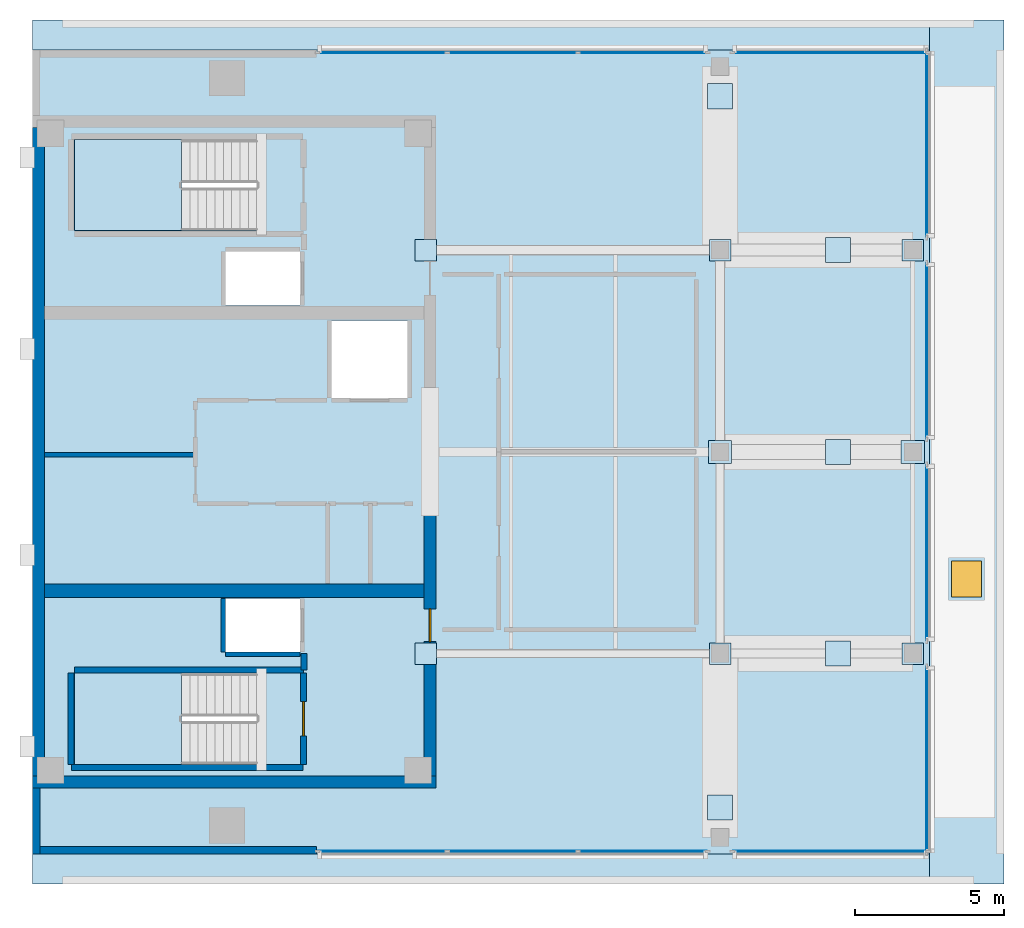
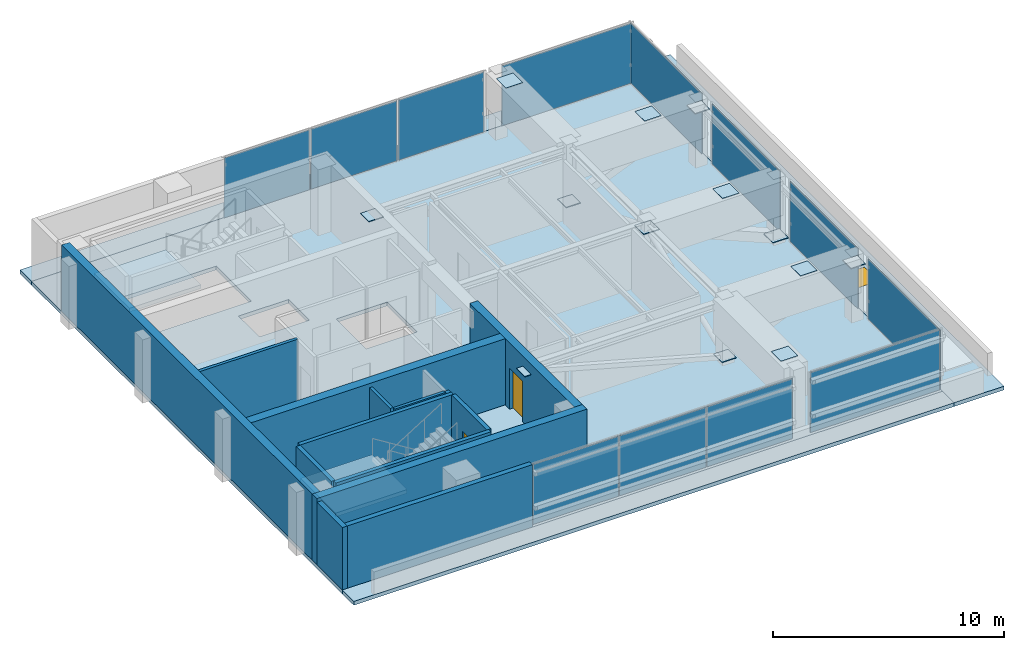
# One storey, part 4 of 9: 25 plates, 14 walls, 6 slabs, 2 doors, 1 window, 3 openings, 10 elements without a shape of their own.
"""IFC4 building model written with IfcOpenShell, lengths in metres."""

from ifc_helpers import new_model, si_unit, direction, frame, frame_2d, origin, origin_2d, place, context, subcontext, project, spatial, polyline, rectangle, outline, extrude, material, layer, layer_set, type_object, element, fill, aggregate, save


model = new_model("IFC4")

# Units and contexts
model_context = context("Model", 3, precision=1e-05, world=origin(), true_north=direction((0.0, 1.0)))
body_context = subcontext(model_context, "Body", "Model", "MODEL_VIEW")
ifc_project = project(units=[si_unit("LENGTHUNIT", "METRE"), si_unit("AREAUNIT", "SQUARE_METRE"), si_unit("VOLUMEUNIT", "CUBIC_METRE"), si_unit("PLANEANGLEUNIT", "RADIAN"), si_unit("MASSUNIT", "GRAM", prefix="KILO")], contexts=[model_context])

# Site, building, storey
site_placement = place(None, origin())
site = spatial("IfcSite", under=ifc_project, at=site_placement, CompositionType="ELEMENT")
building_placement = place(site_placement, origin())
building = spatial("IfcBuilding", under=site, at=building_placement, Name="Kinhvarn Gate Tower", CompositionType="ELEMENT")
storey_placement = place(building_placement, frame((0.0, 0.0, 314.550048828125)))
storey = spatial("IfcBuildingStorey", under=building, at=storey_placement, Name="L83", CompositionType="ELEMENT", Elevation=314.550048828125)

# Curtain wall, plates
ifc_material_1 = material(Name="Anodised aluminium AW-6063", Category="aluminium")
ifc_layer_1 = layer(ifc_material_1, 0.199951171875)
ifc_layer_set_1 = layer_set([ifc_layer_1], Name="Anodised aluminium AW-6063")
curtain_wall_type = type_object("IfcCurtainWallType", Name="CW-SYS-6", PredefinedType="NOTDEFINED", material=ifc_layer_set_1)
curtain_wall_1_placement = place(storey_placement, origin())
curtain_wall_1 = element("IfcCurtainWall", 1, at=curtain_wall_1_placement, inside=storey, type_object=curtain_wall_type, Name="Curtain Wall CW6 (L83)", PredefinedType="NOTDEFINED")
ifc_material_2 = material(Name="Clear low-e double glazing", Category="glass")
ifc_layer_2 = layer(ifc_material_2, 0.031982421875)
ifc_layer_set_2 = layer_set([ifc_layer_2], Name="Clear low-e double glazing")
plate_type_1 = type_object("IfcPlateType", Name="CW-PNL-VIS", PredefinedType="CURTAIN_PANEL", material=ifc_layer_set_2)
plate_1_placement = place(storey_placement, frame((16.202880859375, 11.889892578125, 0.06494140625), z_axis=(0.0, 0.0, 1.0), x_axis=(1.0, 0.0, 0.0)))
plate_1 = element("IfcPlate", 2, at=plate_1_placement, type_object=plate_type_1, Name="CW6 panel 1.1", PredefinedType="CURTAIN_PANEL", context=body_context, shape_type="SweptSolid", body=[
    extrude(rectangle(XDim=4.27587890625, YDim=0.031982421875, at=origin_2d()), origin(), (0.0, 0.0, 1.0), 3.169921875),
])
plate_2_placement = place(storey_placement, frame((20.56005859375, 11.889892578125, 0.06494140625), z_axis=(0.0, 0.0, 1.0), x_axis=(1.0, 0.0, 0.0)))
plate_2 = element("IfcPlate", 3, at=plate_2_placement, type_object=plate_type_1, Name="CW6 panel 2.1", PredefinedType="CURTAIN_PANEL", context=body_context, shape_type="SweptSolid", body=[
    extrude(rectangle(XDim=4.308349609375, YDim=0.031982421875, at=origin_2d()), origin(), (0.0, 0.0, 1.0), 3.169921875),
])
plate_3_placement = place(storey_placement, frame((24.9169921875, 11.889892578125, 0.06494140625), z_axis=(0.0, 0.0, 1.0), x_axis=(1.0, 0.0, 0.0)))
plate_3 = element("IfcPlate", 4, at=plate_3_placement, type_object=plate_type_1, Name="CW6 panel 3.1", PredefinedType="CURTAIN_PANEL", context=body_context, shape_type="SweptSolid", body=[
    extrude(rectangle(XDim=4.27587890625, YDim=0.031982421875, at=origin_2d()), origin(), (0.0, 0.0, 1.0), 3.169921875),
])
aggregate(curtain_wall_1, [plate_1, plate_2, plate_3])

# Curtain wall, plate
curtain_wall_2_placement = place(storey_placement, origin())
curtain_wall_2 = element("IfcCurtainWall", 5, at=curtain_wall_2_placement, inside=storey, type_object=curtain_wall_type, Name="Curtain Wall CW6 (L83)", PredefinedType="NOTDEFINED")
plate_4_placement = place(storey_placement, frame((31.18994140625, 11.889892578125, 0.06494140625), z_axis=(0.0, 0.0, 1.0), x_axis=(1.0, 0.0, 0.0)))
plate_4 = element("IfcPlate", 6, at=plate_4_placement, type_object=plate_type_1, Name="CW6 panel 1.1", PredefinedType="CURTAIN_PANEL", context=body_context, shape_type="SweptSolid", body=[
    extrude(rectangle(XDim=6.489990234375, YDim=0.031982421875, at=origin_2d()), origin(), (0.0, 0.0, 1.0), 3.169921875),
])
aggregate(curtain_wall_2, [plate_4])

curtain_wall_3_placement = place(storey_placement, origin())
curtain_wall_3 = element("IfcCurtainWall", 7, at=curtain_wall_3_placement, inside=storey, type_object=curtain_wall_type, Name="Curtain Wall CW6 (L83)", PredefinedType="NOTDEFINED")
plate_5_placement = place(storey_placement, frame((31.18994140625, 38.610107421875, 0.06494140625), z_axis=(0.0, 0.0, 1.0), x_axis=(-1.0, 0.0, 0.0)))
plate_5 = element("IfcPlate", 8, at=plate_5_placement, type_object=plate_type_1, Name="CW6 panel 1.1", PredefinedType="CURTAIN_PANEL", context=body_context, shape_type="SweptSolid", body=[
    extrude(rectangle(XDim=6.489990234375, YDim=0.031982421875, at=origin_2d()), origin(), (0.0, 0.0, 1.0), 3.169921875),
])
aggregate(curtain_wall_3, [plate_5])

# Curtain wall, plates
curtain_wall_4_placement = place(storey_placement, origin())
curtain_wall_4 = element("IfcCurtainWall", 9, at=curtain_wall_4_placement, inside=storey, type_object=curtain_wall_type, Name="Curtain Wall CW6 (L83)", PredefinedType="NOTDEFINED")
plate_6_placement = place(storey_placement, frame((24.9169921875, 38.610107421875, 0.06494140625), z_axis=(0.0, 0.0, 1.0), x_axis=(-1.0, 0.0, 0.0)))
plate_6 = element("IfcPlate", 10, at=plate_6_placement, type_object=plate_type_1, Name="CW6 panel 1.1", PredefinedType="CURTAIN_PANEL", context=body_context, shape_type="SweptSolid", body=[
    extrude(rectangle(XDim=4.27587890625, YDim=0.031982421875, at=origin_2d()), origin(), (0.0, 0.0, 1.0), 3.169921875),
])
plate_7_placement = place(storey_placement, frame((20.56005859375, 38.610107421875, 0.06494140625), z_axis=(0.0, 0.0, 1.0), x_axis=(-1.0, 0.0, 0.0)))
plate_7 = element("IfcPlate", 11, at=plate_7_placement, type_object=plate_type_1, Name="CW6 panel 2.1", PredefinedType="CURTAIN_PANEL", context=body_context, shape_type="SweptSolid", body=[
    extrude(rectangle(XDim=4.308349609375, YDim=0.031982421875, at=origin_2d()), origin(), (0.0, 0.0, 1.0), 3.169921875),
])
plate_8_placement = place(storey_placement, frame((16.202880859375, 38.610107421875, 0.06494140625), z_axis=(0.0, 0.0, 1.0), x_axis=(-1.0, 0.0, 0.0)))
plate_8 = element("IfcPlate", 12, at=plate_8_placement, type_object=plate_type_1, Name="CW6 panel 3.1", PredefinedType="CURTAIN_PANEL", context=body_context, shape_type="SweptSolid", body=[
    extrude(rectangle(XDim=4.27587890625, YDim=0.031982421875, at=origin_2d()), origin(), (0.0, 0.0, 1.0), 3.169921875),
])
aggregate(curtain_wall_4, [plate_6, plate_7, plate_8])

# Curtain wall, plate
curtain_wall_5_placement = place(storey_placement, origin())
curtain_wall_5 = element("IfcCurtainWall", 13, at=curtain_wall_5_placement, inside=storey, type_object=curtain_wall_type, Name="Curtain Wall CW6 (L83)", PredefinedType="NOTDEFINED")
plate_9_placement = place(storey_placement, frame((34.409912109375, 14.9599609375, 0.06494140625), z_axis=(0.0, 0.0, 1.0), x_axis=(0.0, 1.0, 0.0)))
plate_9 = element("IfcPlate", 14, at=plate_9_placement, type_object=plate_type_1, Name="CW6 panel 1.1", PredefinedType="CURTAIN_PANEL", context=body_context, shape_type="SweptSolid", body=[
    extrude(rectangle(XDim=6.18994140625, YDim=0.031982421875, at=origin_2d()), origin(), (0.0, 0.0, 1.0), 3.169921875),
])
aggregate(curtain_wall_5, [plate_9])

curtain_wall_6_placement = place(storey_placement, origin())
curtain_wall_6 = element("IfcCurtainWall", 15, at=curtain_wall_6_placement, inside=storey, type_object=curtain_wall_type, Name="Curtain Wall CW6 (L83)", PredefinedType="NOTDEFINED")
plate_10_placement = place(storey_placement, frame((34.409912109375, 21.875, 0.06494140625), z_axis=(0.0, 0.0, 1.0), x_axis=(0.0, 1.0, 0.0)))
plate_10 = element("IfcPlate", 16, at=plate_10_placement, type_object=plate_type_1, Name="CW6 panel 1.1", PredefinedType="CURTAIN_PANEL", context=body_context, shape_type="SweptSolid", body=[
    extrude(rectangle(XDim=5.860107421875, YDim=0.031982421875, at=origin_2d()), origin(), (0.0, 0.0, 1.0), 3.169921875),
])
aggregate(curtain_wall_6, [plate_10])

curtain_wall_7_placement = place(storey_placement, origin())
curtain_wall_7 = element("IfcCurtainWall", 17, at=curtain_wall_7_placement, inside=storey, type_object=curtain_wall_type, Name="Curtain Wall CW6 (L83)", PredefinedType="NOTDEFINED")
plate_11_placement = place(storey_placement, frame((34.409912109375, 28.625, 0.06494140625), z_axis=(0.0, 0.0, 1.0), x_axis=(0.0, 1.0, 0.0)))
plate_11 = element("IfcPlate", 18, at=plate_11_placement, type_object=plate_type_1, Name="CW6 panel 1.1", PredefinedType="CURTAIN_PANEL", context=body_context, shape_type="SweptSolid", body=[
    extrude(rectangle(XDim=5.860107421875, YDim=0.031982421875, at=origin_2d()), origin(), (0.0, 0.0, 1.0), 3.169921875),
])
aggregate(curtain_wall_7, [plate_11])

curtain_wall_8_placement = place(storey_placement, origin())
curtain_wall_8 = element("IfcCurtainWall", 19, at=curtain_wall_8_placement, inside=storey, type_object=curtain_wall_type, Name="Curtain Wall CW6 (L83)", PredefinedType="NOTDEFINED")
plate_12_placement = place(storey_placement, frame((34.409912109375, 35.5400390625, 0.06494140625), z_axis=(0.0, 0.0, 1.0), x_axis=(0.0, 1.0, 0.0)))
plate_12 = element("IfcPlate", 20, at=plate_12_placement, type_object=plate_type_1, Name="CW6 panel 1.1", PredefinedType="CURTAIN_PANEL", context=body_context, shape_type="SweptSolid", body=[
    extrude(rectangle(XDim=6.18994140625, YDim=0.031982421875, at=origin_2d()), origin(), (0.0, 0.0, 1.0), 3.169921875),
])
aggregate(curtain_wall_8, [plate_12])

# Plates
ifc_material_3 = material(Name="Steel S355", Category="steel")
ifc_layer_3 = layer(ifc_material_3, 0.02392578125)
ifc_layer_set_3 = layer_set([ifc_layer_3], Name="Steel S355")
plate_type_2 = type_object("IfcPlateType", Name="PLT-NODE-CB1", PredefinedType="USERDEFINED", material=ifc_layer_set_3)
plate_13_placement = place(storey_placement, frame((0.0, 0.0, 3.47802734375)))
element("IfcPlate", 21, at=plate_13_placement, inside=storey, type_object=plate_type_2, Name="Structural Node Cap Plate CB1", ObjectType="GUSSET_PLATE", PredefinedType="USERDEFINED", context=body_context, shape_type="SweptSolid", body=[
    extrude(outline(polyline([(31.030029296875, 18.080078125), (31.8701171875, 18.080078125), (31.8701171875, 18.919921875), (31.030029296875, 18.919921875), (31.030029296875, 18.080078125)])), origin(), (0.0, 0.0, 1.0), 0.02392578125),
])
plate_14_placement = place(storey_placement, frame((0.0, 0.0, 3.47802734375)))
element("IfcPlate", 22, at=plate_14_placement, inside=storey, type_object=plate_type_2, Name="Structural Node Cap Plate CB1", ObjectType="GUSSET_PLATE", PredefinedType="USERDEFINED", context=body_context, shape_type="SweptSolid", body=[
    extrude(outline(polyline([(31.030029296875, 24.830078125), (31.8701171875, 24.830078125), (31.8701171875, 25.669921875), (31.030029296875, 25.669921875), (31.030029296875, 24.830078125)])), origin(), (0.0, 0.0, 1.0), 0.02392578125),
])
plate_15_placement = place(storey_placement, frame((0.0, 0.0, 3.47802734375)))
element("IfcPlate", 23, at=plate_15_placement, inside=storey, type_object=plate_type_2, Name="Structural Node Cap Plate CB1", ObjectType="GUSSET_PLATE", PredefinedType="USERDEFINED", context=body_context, shape_type="SweptSolid", body=[
    extrude(outline(polyline([(31.030029296875, 31.580078125), (31.8701171875, 31.580078125), (31.8701171875, 32.419921875), (31.030029296875, 32.419921875), (31.030029296875, 31.580078125)])), origin(), (0.0, 0.0, 1.0), 0.02392578125),
])
plate_16_placement = place(storey_placement, frame((0.0, 0.0, 3.47802734375)))
element("IfcPlate", 24, at=plate_16_placement, inside=storey, type_object=plate_type_2, Name="Structural Node Cap Plate CB1", ObjectType="GUSSET_PLATE", PredefinedType="USERDEFINED", context=body_context, shape_type="SweptSolid", body=[
    extrude(outline(polyline([(27.080078125, 12.929931640625), (27.919921875, 12.929931640625), (27.919921875, 13.77001953125), (27.080078125, 13.77001953125), (27.080078125, 12.929931640625)])), origin(), (0.0, 0.0, 1.0), 0.02392578125),
])
plate_17_placement = place(storey_placement, frame((0.0, 0.0, 3.47802734375)))
element("IfcPlate", 25, at=plate_17_placement, inside=storey, type_object=plate_type_2, Name="Structural Node Cap Plate CB1", ObjectType="GUSSET_PLATE", PredefinedType="USERDEFINED", context=body_context, shape_type="SweptSolid", body=[
    extrude(outline(polyline([(27.080078125, 36.72998046875), (27.919921875, 36.72998046875), (27.919921875, 37.570068359375), (27.080078125, 37.570068359375), (27.080078125, 36.72998046875)])), origin(), (0.0, 0.0, 1.0), 0.02392578125),
])
ifc_layer_4 = layer(ifc_material_3, 0.033935546875)
ifc_layer_set_4 = layer_set([ifc_layer_4], Name="Steel S355")
plate_type_3 = type_object("IfcPlateType", Name="PLT-NODE-KN4", PredefinedType="USERDEFINED", material=ifc_layer_set_4)
plate_18_placement = place(storey_placement, frame((0.0, 0.0, 2.932861328125)))
element("IfcPlate", 26, at=plate_18_placement, inside=storey, type_object=plate_type_3, Name="Structural Node Cap Plate KN4", ObjectType="GUSSET_PLATE", PredefinedType="USERDEFINED", context=body_context, shape_type="SweptSolid", body=[
    extrude(outline(polyline([(17.2900390625, 18.139892578125), (18.010009765625, 18.139892578125), (18.010009765625, 18.860107421875), (17.2900390625, 18.860107421875), (17.2900390625, 18.139892578125)])), origin(), (0.0, 0.0, 1.0), 0.0341796875),
])
plate_19_placement = place(storey_placement, frame((0.0, 0.0, 0.23291015625)))
element("IfcPlate", 27, at=plate_19_placement, inside=storey, type_object=plate_type_3, Name="Structural Node Cap Plate KN4", ObjectType="GUSSET_PLATE", PredefinedType="USERDEFINED", context=body_context, shape_type="SweptSolid", body=[
    extrude(outline(polyline([(27.139892578125, 18.139892578125), (27.860107421875, 18.139892578125), (27.860107421875, 18.860107421875), (27.139892578125, 18.860107421875), (27.139892578125, 18.139892578125)])), origin(), (0.0, 0.0, 1.0), 0.033935546875),
])
plate_20_placement = place(storey_placement, frame((0.0, 0.0, 2.932861328125)))
element("IfcPlate", 28, at=plate_20_placement, inside=storey, type_object=plate_type_3, Name="Structural Node Cap Plate KN4", ObjectType="GUSSET_PLATE", PredefinedType="USERDEFINED", context=body_context, shape_type="SweptSolid", body=[
    extrude(outline(polyline([(33.590087890625, 18.139892578125), (34.31005859375, 18.139892578125), (34.31005859375, 18.860107421875), (33.590087890625, 18.860107421875), (33.590087890625, 18.139892578125)])), origin(), (0.0, 0.0, 1.0), 0.0341796875),
])
plate_21_placement = place(storey_placement, frame((0.0, 0.0, 2.932861328125)))
element("IfcPlate", 29, at=plate_21_placement, inside=storey, type_object=plate_type_3, Name="Structural Node Cap Plate KN4", ObjectType="GUSSET_PLATE", PredefinedType="USERDEFINED", context=body_context, shape_type="SweptSolid", body=[
    extrude(outline(polyline([(17.2900390625, 31.639892578125), (18.010009765625, 31.639892578125), (18.010009765625, 32.360107421875), (17.2900390625, 32.360107421875), (17.2900390625, 31.639892578125)])), origin(), (0.0, 0.0, 1.0), 0.0341796875),
])
plate_22_placement = place(storey_placement, frame((0.0, 0.0, 0.23291015625)))
element("IfcPlate", 30, at=plate_22_placement, inside=storey, type_object=plate_type_3, Name="Structural Node Cap Plate KN4", ObjectType="GUSSET_PLATE", PredefinedType="USERDEFINED", context=body_context, shape_type="SweptSolid", body=[
    extrude(outline(polyline([(27.139892578125, 31.639892578125), (27.860107421875, 31.639892578125), (27.860107421875, 32.360107421875), (27.139892578125, 32.360107421875), (27.139892578125, 31.639892578125)])), origin(), (0.0, 0.0, 1.0), 0.033935546875),
])
plate_23_placement = place(storey_placement, frame((0.0, 0.0, 2.932861328125)))
element("IfcPlate", 31, at=plate_23_placement, inside=storey, type_object=plate_type_3, Name="Structural Node Cap Plate KN4", ObjectType="GUSSET_PLATE", PredefinedType="USERDEFINED", context=body_context, shape_type="SweptSolid", body=[
    extrude(outline(polyline([(33.590087890625, 31.639892578125), (34.31005859375, 31.639892578125), (34.31005859375, 32.360107421875), (33.590087890625, 32.360107421875), (33.590087890625, 31.639892578125)])), origin(), (0.0, 0.0, 1.0), 0.0341796875),
])
plate_24_placement = place(storey_placement, frame((0.0, 0.0, 2.932861328125)))
element("IfcPlate", 32, at=plate_24_placement, inside=storey, type_object=plate_type_3, Name="Structural Node Cap Plate KN4", ObjectType="GUSSET_PLATE", PredefinedType="USERDEFINED", context=body_context, shape_type="SweptSolid", body=[
    extrude(outline(polyline([(27.110107421875, 24.860107421875), (27.889892578125, 24.860107421875), (27.889892578125, 25.639892578125), (27.110107421875, 25.639892578125), (27.110107421875, 24.860107421875)])), origin(), (0.0, 0.0, 1.0), 0.0341796875),
])
plate_25_placement = place(storey_placement, frame((0.0, 0.0, 0.23291015625)))
element("IfcPlate", 33, at=plate_25_placement, inside=storey, type_object=plate_type_3, Name="Structural Node Cap Plate KN4", ObjectType="GUSSET_PLATE", PredefinedType="USERDEFINED", context=body_context, shape_type="SweptSolid", body=[
    extrude(outline(polyline([(33.56005859375, 24.860107421875), (34.340087890625, 24.860107421875), (34.340087890625, 25.639892578125), (33.56005859375, 25.639892578125), (33.56005859375, 24.860107421875)])), origin(), (0.0, 0.0, 1.0), 0.033935546875),
])

# Slab
ifc_material_4 = material(Name="Concrete C40/50", Category="concrete")
ifc_layer_5 = layer(ifc_material_4, 0.199951171875)
ifc_layer_set_5 = layer_set([ifc_layer_5], Name="Concrete C40/50")
slab_type_1 = type_object("IfcSlabType", Name="SLB-FLR-200", PredefinedType="FLOOR", material=ifc_layer_set_5)
slab_1_placement = place(storey_placement, frame((0.0, 0.0, -0.199951171875)))
element("IfcSlab", 34, at=slab_1_placement, inside=storey, type_object=slab_type_1, Name="Suspended Floor Slab L83", PredefinedType="FLOOR", context=body_context, shape_type="SweptSolid", body=[
    extrude(outline(polyline([(4.5, 11.800048828125), (34.5, 11.800048828125), (34.5, 38.699951171875), (4.5, 38.699951171875), (4.5, 11.800048828125)]), holes=[polyline([(5.89990234375, 14.800048828125), (12.0, 14.800048828125), (12.0, 17.85009765625), (5.89990234375, 17.85009765625), (5.89990234375, 14.800048828125)]), polyline([(5.89990234375, 32.64990234375), (12.0, 32.64990234375), (12.0, 35.699951171875), (5.89990234375, 35.699951171875), (5.89990234375, 32.64990234375)]), polyline([(14.5, 27.050048828125), (17.050048828125, 27.050048828125), (17.050048828125, 29.64990234375), (14.5, 29.64990234375), (14.5, 27.050048828125)]), polyline([(10.949951171875, 18.550048828125), (13.449951171875, 18.550048828125), (13.449951171875, 20.35009765625), (10.949951171875, 20.35009765625), (10.949951171875, 18.550048828125)]), polyline([(10.949951171875, 30.14990234375), (13.449951171875, 30.14990234375), (13.449951171875, 31.949951171875), (10.949951171875, 31.949951171875), (10.949951171875, 30.14990234375)])]), origin(), (0.0, 0.0, 1.0), 0.199951171875),
])

# Slab, opening, window
ifc_material_5 = material(Name="Concrete C50/60", Category="concrete")
ifc_layer_6 = layer(ifc_material_5, 0.199951171875)
ifc_layer_set_6 = layer_set([ifc_layer_6], Name="Concrete C50/60")
slab_type_2 = type_object("IfcSlabType", Name="SLB-ROOF-200", PredefinedType="ROOF", material=ifc_layer_set_6)
slab_2_placement = place(storey_placement, frame((0.0, 0.0, -0.199951171875)))
slab_2 = element("IfcSlab", 35, at=slab_2_placement, inside=storey, type_object=slab_type_2, Name="Stepped Crown Ledge Roof Slab L83-E", PredefinedType="ROOF", context=body_context, shape_type="SweptSolid", body=[
    extrude(outline(polyline([(34.5, 10.800048828125), (34.5, 39.699951171875), (37.0, 39.699951171875), (37.0, 10.800048828125), (34.5, 10.800048828125)])), origin(), (0.0, 0.0, 1.0), 0.199951171875),
])
opening_1_placement = place(slab_2_placement, frame((35.75, 21.0, -0.010009765625)))
opening_1 = element("IfcOpeningElement", 36, at=opening_1_placement, cuts=slab_2, Name="Opening RH-01", PredefinedType="OPENING", context=body_context, shape_type="SweptSolid", body=[
    extrude(rectangle(XDim=1.0, YDim=1.199951171875, at=origin_2d()), origin(), (0.0, 0.0, 1.0), 0.219970703125),
])
window_type = type_object("IfcWindowType", Name="WIN-SKL-1200", PartitioningType="SINGLE_PANEL", PredefinedType="SKYLIGHT", material=ifc_material_2)
window_placement = place(slab_2_placement, frame((35.75, 21.0, 0.14990234375)))
window = element("IfcWindow", 37, at=window_placement, inside=storey, type_object=window_type, Name="Crown Ledge Maintenance Skylight Hatch RH-01 (L83)", OverallHeight=1.199951171875, OverallWidth=1.0, PartitioningType="SINGLE_PANEL", PredefinedType="SKYLIGHT", context=body_context, shape_type="SweptSolid", body=[
    extrude(rectangle(XDim=1.0, YDim=1.199951171875, at=origin_2d()), origin(), (0.0, 0.0, 1.0), 0.050048828125),
])
fill(opening_1, window)

# Slabs
slab_3_placement = place(storey_placement, frame((0.0, 0.0, -0.199951171875)))
element("IfcSlab", 38, at=slab_3_placement, inside=storey, type_object=slab_type_2, Name="Stepped Crown Ledge Roof Slab L83-S", PredefinedType="ROOF", context=body_context, shape_type="SweptSolid", body=[
    extrude(outline(polyline([(4.5, 10.800048828125), (4.5, 11.800048828125), (34.5, 11.800048828125), (34.5, 10.800048828125), (4.5, 10.800048828125)])), origin(), (0.0, 0.0, 1.0), 0.199951171875),
])
slab_4_placement = place(storey_placement, frame((0.0, 0.0, -0.199951171875)))
element("IfcSlab", 39, at=slab_4_placement, inside=storey, type_object=slab_type_2, Name="Stepped Crown Ledge Roof Slab L83-N", PredefinedType="ROOF", context=body_context, shape_type="SweptSolid", body=[
    extrude(outline(polyline([(34.5, 39.699951171875), (34.5, 38.699951171875), (4.5, 38.699951171875), (4.5, 39.699951171875), (34.5, 39.699951171875)])), origin(), (0.0, 0.0, 1.0), 0.199951171875),
])

# Stair, slab
stair_type = type_object("IfcStairType", Name="STR-DLG-175", PredefinedType="HALF_TURN_STAIR", material=ifc_material_4)
stair_1_placement = place(storey_placement, origin())
stair_1 = element("IfcStair", 40, at=stair_1_placement, inside=storey, type_object=stair_type, Name="L83 Core Smokeproof Exit Stair ST1", PredefinedType="HALF_TURN_STAIR")
ifc_layer_7 = layer(ifc_material_4, 0.199951171875)
ifc_layer_set_7 = layer_set([ifc_layer_7], Name="Concrete C40/50")
slab_type_3 = type_object("IfcSlabType", Name="SLB-ST-LND", PredefinedType="LANDING", material=ifc_layer_set_7)
slab_5_placement = place(storey_placement, frame((0.0, 0.0, 1.550048828125)))
slab_5 = element("IfcSlab", 41, at=slab_5_placement, type_object=slab_type_3, Name="ST1 landing 1", PredefinedType="LANDING", context=body_context, shape_type="SweptSolid", body=[
    extrude(outline(polyline([(9.47998046875, 17.85009765625), (5.89990234375, 17.85009765625), (5.89990234375, 14.800048828125), (9.47998046875, 14.800048828125), (9.47998046875, 17.85009765625)])), origin(), (0.0, 0.0, 1.0), 0.199951171875),
])
aggregate(stair_1, [slab_5])

stair_2_placement = place(storey_placement, origin())
stair_2 = element("IfcStair", 42, at=stair_2_placement, inside=storey, type_object=stair_type, Name="L83 Core Smokeproof Exit Stair ST2", PredefinedType="HALF_TURN_STAIR")
slab_6_placement = place(storey_placement, frame((0.0, 0.0, 1.550048828125)))
slab_6 = element("IfcSlab", 43, at=slab_6_placement, type_object=slab_type_3, Name="ST2 landing 1", PredefinedType="LANDING", context=body_context, shape_type="SweptSolid", body=[
    extrude(outline(polyline([(9.47998046875, 35.699951171875), (5.89990234375, 35.699951171875), (5.89990234375, 32.64990234375), (9.47998046875, 32.64990234375), (9.47998046875, 35.699951171875)])), origin(), (0.0, 0.0, 1.0), 0.199951171875),
])
aggregate(stair_2, [slab_6])

# Wall
ifc_layer_8 = layer(ifc_material_5, 0.39990234375)
ifc_layer_set_8 = layer_set([ifc_layer_8], Name="Concrete C50/60")
wall_type_1 = type_object("IfcWallType", Name="WL-CORE-400", PredefinedType="SHEAR", material=ifc_layer_set_8)
wall_1_placement = place(storey_placement, frame((4.5, 14.199951171875, 0.0), z_axis=(0.0, 0.0, 1.0), x_axis=(1.0, 0.0, 0.0)))
element("IfcWall", 44, at=wall_1_placement, inside=storey, type_object=wall_type_1, Name="Core South Shear Wall L83 400 mm", PredefinedType="SHEAR", context=body_context, shape_type="SweptSolid", body=[
    extrude(rectangle(XDim=13.5, YDim=0.39990234375, at=frame_2d((6.75, 0.0))), origin(), (0.0, 0.0, 1.0), 3.5),
])

# Wall, opening, door
wall_2_placement = place(storey_placement, frame((17.800048828125, 14.39990234375, 0.0), z_axis=(0.0, 0.0, 1.0), x_axis=(0.0, 1.0, 0.0)))
wall_2 = element("IfcWall", 45, at=wall_2_placement, inside=storey, type_object=wall_type_1, Name="Core East-South Shear Pier L83 400 mm", PredefinedType="SHEAR", context=body_context, shape_type="SweptSolid", body=[
    extrude(rectangle(XDim=9.050048828125, YDim=0.39990234375, at=frame_2d((4.52490234375, 0.0))), origin(), (0.0, 0.0, 1.0), 3.5),
])
opening_2_placement = place(wall_2_placement, frame((4.5, 0.0, 0.0)))
opening_2 = element("IfcOpeningElement", 46, at=opening_2_placement, cuts=wall_2, Name="Opening FD-02", PredefinedType="OPENING", context=body_context, shape_type="SweptSolid", body=[
    extrude(rectangle(XDim=1.10009765625, YDim=2.14990234375, at=frame_2d((0.550048828125, 1.074951171875))), frame((0.0, 0.2099609375, 0.0), z_axis=(0.0, -1.0, 0.0), x_axis=(1.0, 0.0, 0.0)), (0.0, 0.0, 1.0), 0.419921875),
])
door_type_1 = type_object("IfcDoorType", Name="DR-FD-1100", OperationType="NOTDEFINED", PredefinedType="DOOR", material=ifc_material_1)
door_1_placement = place(opening_2_placement, origin())
door_1 = element("IfcDoor", 47, at=door_1_placement, inside=storey, type_object=door_type_1, Name="Firefighting Lobby Core Door (L83)", OperationType="SINGLE_SWING_RIGHT", OverallHeight=2.14990234375, OverallWidth=1.10009765625, PredefinedType="DOOR", context=body_context, shape_type="SweptSolid", body=[
    extrude(rectangle(XDim=1.10009765625, YDim=2.14990234375, at=frame_2d((0.550048828125, 1.074951171875))), frame((0.0, 0.02490234375, 0.0), z_axis=(0.0, -1.0, 0.0), x_axis=(1.0, 0.0, 0.0)), (0.0, 0.0, 1.0), 0.050048828125),
])
fill(opening_2, door_1)

# Walls
ifc_layer_9 = layer(ifc_material_5, 0.449951171875)
ifc_layer_set_9 = layer_set([ifc_layer_9], Name="Concrete C50/60")
wall_type_2 = type_object("IfcWallType", Name="WL-CORE-450", PredefinedType="SHEAR", material=ifc_layer_set_9)
wall_3_placement = place(storey_placement, frame((4.89990234375, 20.60009765625, 0.0), z_axis=(0.0, 0.0, 1.0), x_axis=(1.0, 0.0, 0.0)))
element("IfcWall", 48, at=wall_3_placement, inside=storey, type_object=wall_type_2, Name="Core South Spine Shear Wall L83 450 mm", PredefinedType="SHEAR", context=body_context, shape_type="SweptSolid", body=[
    extrude(rectangle(XDim=12.7001953125, YDim=0.449951171875, at=frame_2d((6.35009765625, 0.0))), origin(), (0.0, 0.0, 1.0), 3.5),
])
ifc_layer_10 = layer(ifc_material_5, 0.39990234375)
ifc_layer_set_10 = layer_set([ifc_layer_10], Name="Concrete C50/60")
wall_type_3 = type_object("IfcWallType", Name="WL-COREX-400", PredefinedType="SHEAR", material=ifc_layer_set_10)
wall_4_placement = place(storey_placement, frame((4.699951171875, 14.39990234375, 0.0), z_axis=(0.0, 0.0, 1.0), x_axis=(0.0, 1.0, 0.0)))
element("IfcWall", 49, at=wall_4_placement, inside=storey, type_object=wall_type_3, Name="Core West Shear Wall L83 400 mm", PredefinedType="SHEAR", context=body_context, shape_type="SweptSolid", body=[
    extrude(rectangle(XDim=21.7001953125, YDim=0.39990234375, at=frame_2d((10.85009765625, 0.0))), origin(), (0.0, 0.0, 1.0), 3.5),
])
ifc_material_6 = material(Name="Fired architectural terracotta", Category="masonry")
ifc_layer_11 = layer(ifc_material_6, 0.25)
ifc_layer_set_11 = layer_set([ifc_layer_11], Name="Fired architectural terracotta")
wall_type_4 = type_object("IfcWallType", Name="WL-EXT-250", PredefinedType="SOLIDWALL", material=ifc_layer_set_11)
wall_5_placement = place(storey_placement, frame((4.625, 14.0, 0.0), z_axis=(0.0, 0.0, 1.0), x_axis=(0.0, -1.0, 0.0)))
element("IfcWall", 50, at=wall_5_placement, inside=storey, type_object=wall_type_4, Name="Exterior Solidwall Wall EW-250 (L83 West-South)", PredefinedType="SOLIDWALL", context=body_context, shape_type="SweptSolid", body=[
    extrude(rectangle(XDim=2.199951171875, YDim=0.25, at=frame_2d((1.10009765625, 0.0))), origin(), (0.0, 0.0, 1.0), 3.300048828125),
])
wall_6_placement = place(storey_placement, frame((4.5, 11.925048828125, 0.0), z_axis=(0.0, 0.0, 1.0), x_axis=(1.0, 0.0, 0.0)))
element("IfcWall", 51, at=wall_6_placement, inside=storey, type_object=wall_type_4, Name="Exterior Solidwall Wall EW-250 (L83 Crown-Core-S)", PredefinedType="SOLIDWALL", context=body_context, shape_type="SweptSolid", body=[
    extrude(rectangle(XDim=9.5, YDim=0.25, at=frame_2d((4.75, 0.0))), origin(), (0.0, 0.0, 1.0), 3.300048828125),
])
ifc_material_7 = material(Name="Gypsum acoustic partition board")
ifc_layer_12 = layer(ifc_material_7, 0.14990234375)
ifc_layer_set_12 = layer_set([ifc_layer_12], Name="Gypsum acoustic partition board")
wall_type_5 = type_object("IfcWallType", Name="WL-PRT-150F", PredefinedType="PARTITIONING", material=ifc_layer_set_12)
wall_7_placement = place(storey_placement, frame((4.89990234375, 25.14990234375, 0.0), z_axis=(0.0, 0.0, 1.0), x_axis=(1.0, 0.0, 0.0)))
element("IfcWall", 52, at=wall_7_placement, inside=storey, type_object=wall_type_5, Name="Interior Partition PW-150F (L83)", PredefinedType="PARTITIONING", context=body_context, shape_type="SweptSolid", body=[
    extrude(rectangle(XDim=5.050048828125, YDim=0.14990234375, at=frame_2d((2.52490234375, 0.0))), origin(), (0.0, 0.0, 1.0), 3.300048828125),
])
ifc_layer_13 = layer(ifc_material_7, 0.199951171875)
ifc_layer_set_13 = layer_set([ifc_layer_13], Name="Gypsum acoustic partition board")
wall_type_6 = type_object("IfcWallType", Name="WL-PRT-200", PredefinedType="PARTITIONING", material=ifc_layer_set_13)
wall_8_placement = place(storey_placement, frame((13.580078125, 17.9599609375, 0.0), z_axis=(0.0, 0.0, 1.0), x_axis=(0.0, 1.0, 0.0)))
element("IfcWall", 53, at=wall_8_placement, inside=storey, type_object=wall_type_6, Name="Interior Partition PW-200 (L83)", PredefinedType="PARTITIONING", context=body_context, shape_type="SweptSolid", body=[
    extrude(rectangle(XDim=0.5400390625, YDim=0.199951171875, at=frame_2d((0.27001953125, 0.0))), origin(), (0.0, 0.0, 1.0), 3.300048828125),
])
ifc_layer_14 = layer(ifc_material_7, 0.14990234375)
ifc_layer_set_14 = layer_set([ifc_layer_14], Name="Gypsum acoustic partition board")
wall_type_7 = type_object("IfcWallType", Name="WL-SHF-150", PredefinedType="PARTITIONING", material=ifc_layer_set_14)
wall_9_placement = place(storey_placement, frame((10.949951171875, 18.47509765625, 0.0), z_axis=(0.0, 0.0, 1.0), x_axis=(1.0, 0.0, 0.0)))
element("IfcWall", 54, at=wall_9_placement, inside=storey, type_object=wall_type_7, Name="Elevator FF1 Hoistway Wall S (L83)", PredefinedType="PARTITIONING", context=body_context, shape_type="SweptSolid", body=[
    extrude(rectangle(XDim=2.5, YDim=0.14990234375, at=frame_2d((1.25, 0.0))), origin(), (0.0, 0.0, 1.0), 3.300048828125),
])
wall_10_placement = place(storey_placement, frame((10.875, 18.550048828125, 0.0), z_axis=(0.0, 0.0, 1.0), x_axis=(0.0, 1.0, 0.0)))
element("IfcWall", 55, at=wall_10_placement, inside=storey, type_object=wall_type_7, Name="Elevator FF1 Hoistway Wall W (L83)", PredefinedType="PARTITIONING", context=body_context, shape_type="SweptSolid", body=[
    extrude(rectangle(XDim=1.800048828125, YDim=0.14990234375, at=frame_2d((0.89990234375, 0.0))), origin(), (0.0, 0.0, 1.0), 3.300048828125),
])
ifc_layer_15 = layer(ifc_material_4, 0.199951171875)
ifc_layer_set_15 = layer_set([ifc_layer_15], Name="Concrete C40/50")
wall_type_8 = type_object("IfcWallType", Name="WL-SHF-200", PredefinedType="SOLIDWALL", material=ifc_layer_set_15)
wall_11_placement = place(storey_placement, frame((5.800048828125, 14.699951171875, 0.0), z_axis=(0.0, 0.0, 1.0), x_axis=(1.0, 0.0, 0.0)))
element("IfcWall", 56, at=wall_11_placement, inside=storey, type_object=wall_type_8, Name="Stair ST1 South Shaft Wall (L83)", PredefinedType="SOLIDWALL", context=body_context, shape_type="SweptSolid", body=[
    extrude(rectangle(XDim=7.75, YDim=0.199951171875, at=frame_2d((3.875, 0.0))), origin(), (0.0, 0.0, 1.0), 3.5),
])
wall_12_placement = place(storey_placement, frame((5.7900390625, 14.800048828125, 0.0), z_axis=(0.0, 0.0, 1.0), x_axis=(0.0, 1.0, 0.0)))
element("IfcWall", 57, at=wall_12_placement, inside=storey, type_object=wall_type_8, Name="Stair ST1 West Shaft Wall (L83)", PredefinedType="SOLIDWALL", context=body_context, shape_type="SweptSolid", body=[
    extrude(rectangle(XDim=3.050048828125, YDim=0.199951171875, at=frame_2d((1.52490234375, 0.0))), origin(), (0.0, 0.0, 1.0), 3.5),
])
wall_13_placement = place(storey_placement, frame((5.89990234375, 17.9599609375, 0.0), z_axis=(0.0, 0.0, 1.0), x_axis=(1.0, 0.0, 0.0)))
element("IfcWall", 58, at=wall_13_placement, inside=storey, type_object=wall_type_8, Name="Stair ST1 North Shaft Wall (L83)", PredefinedType="SOLIDWALL", context=body_context, shape_type="SweptSolid", body=[
    extrude(rectangle(XDim=7.66015625, YDim=0.199951171875, at=frame_2d((3.830078125, 0.0))), origin(), (0.0, 0.0, 1.0), 3.5),
])

# Wall, opening, door
wall_14_placement = place(storey_placement, frame((13.56005859375, 14.800048828125, 0.0), z_axis=(0.0, 0.0, 1.0), x_axis=(0.0, 1.0, 0.0)))
wall_14 = element("IfcWall", 59, at=wall_14_placement, inside=storey, type_object=wall_type_8, Name="Stair ST1 East Entry Wall (L83)", PredefinedType="SOLIDWALL", context=body_context, shape_type="SweptSolid", body=[
    extrude(rectangle(XDim=3.050048828125, YDim=0.199951171875, at=frame_2d((1.52490234375, 0.0))), origin(), (0.0, 0.0, 1.0), 3.5),
])
opening_3_placement = place(wall_14_placement, frame((0.949951171875, 0.0, 0.0)))
opening_3 = element("IfcOpeningElement", 60, at=opening_3_placement, cuts=wall_14, Name="Opening FD-01", PredefinedType="OPENING", context=body_context, shape_type="SweptSolid", body=[
    extrude(rectangle(XDim=1.14990234375, YDim=2.14990234375, at=frame_2d((0.574951171875, 1.074951171875))), frame((0.0, 0.10986328125, 0.0), z_axis=(0.0, -1.0, 0.0), x_axis=(1.0, 0.0, 0.0)), (0.0, 0.0, 1.0), 0.219970703125),
])
door_type_2 = type_object("IfcDoorType", Name="DR-ST-1150", OperationType="NOTDEFINED", PredefinedType="DOOR", material=ifc_material_1)
door_2_placement = place(opening_3_placement, origin())
door_2 = element("IfcDoor", 61, at=door_2_placement, inside=storey, type_object=door_type_2, Name="Exit Stair ST1 Fire Door (L83)", OperationType="SINGLE_SWING_LEFT", OverallHeight=2.14990234375, OverallWidth=1.14990234375, PredefinedType="DOOR", context=body_context, shape_type="SweptSolid", body=[
    extrude(rectangle(XDim=1.14990234375, YDim=2.14990234375, at=frame_2d((0.574951171875, 1.074951171875))), frame((0.0, 0.02490234375, 0.0), z_axis=(0.0, -1.0, 0.0), x_axis=(1.0, 0.0, 0.0)), (0.0, 0.0, 1.0), 0.050048828125),
])
fill(opening_3, door_2)

save(model, "model.ifc")
